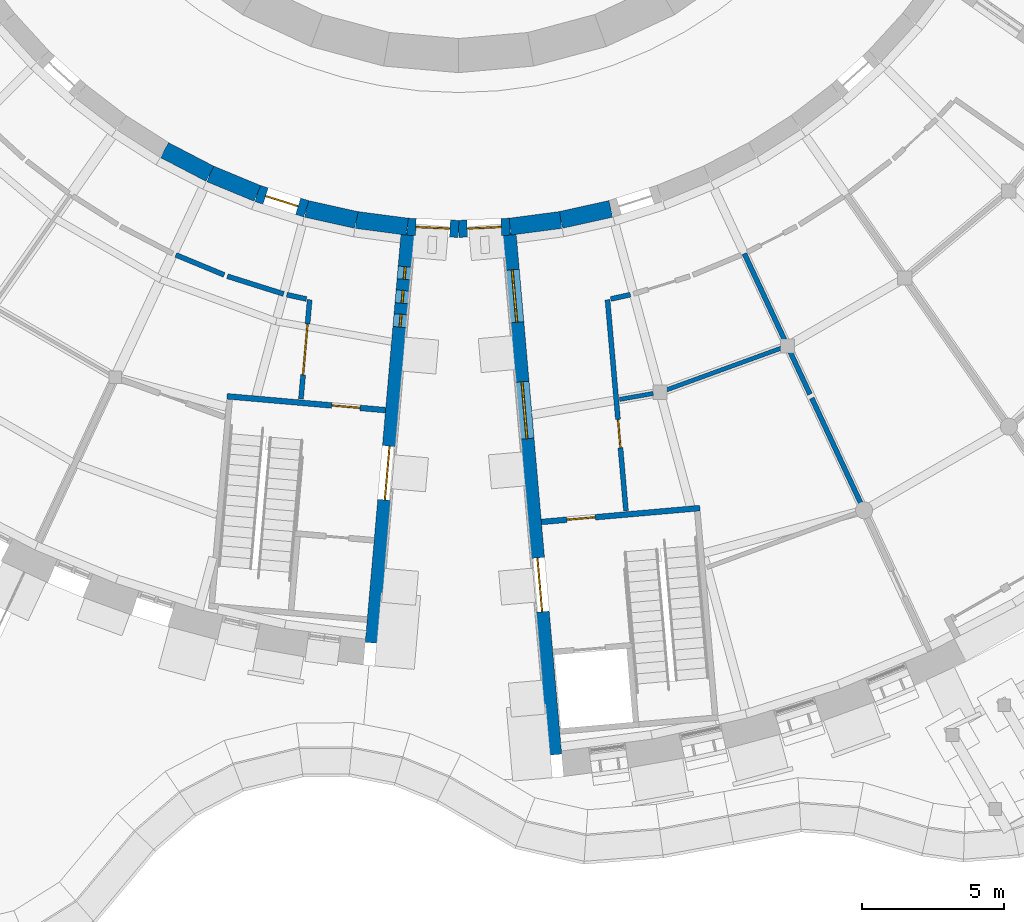
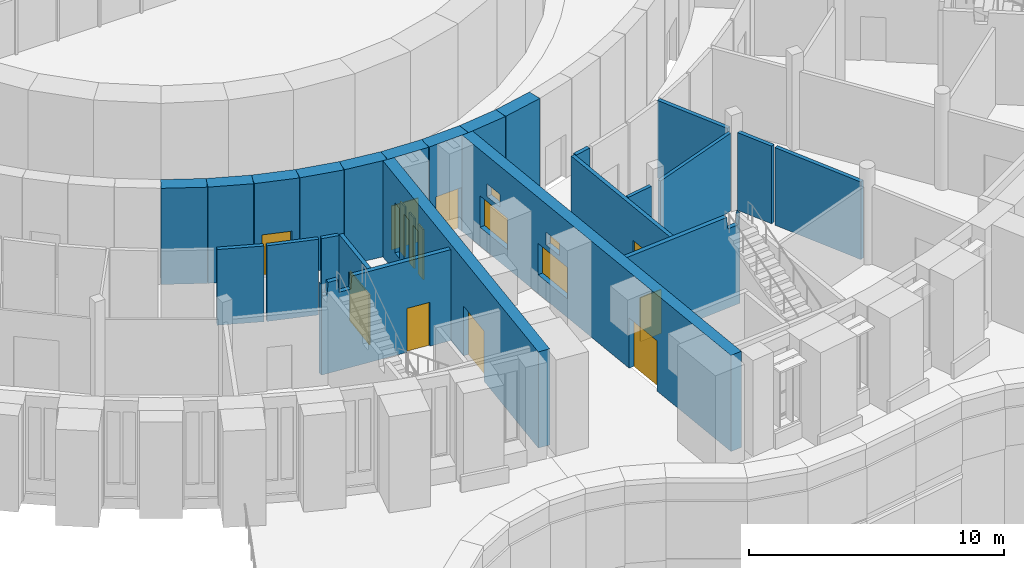
# One storey, part 48 of 85: 24 walls, 9 doors, 7 windows, 16 openings.
"""IFC4 building model written with IfcOpenShell, lengths in metres."""

from ifc_helpers import new_model, si_unit, direction, frame, frame_2d, origin, place, context, subcontext, project, spatial, polyline, rectangle, outline, extrude, material, layer, layer_set, type_object, element, fill, save


model = new_model("IFC4")

# Units and contexts
model_context = context("Model", 3, precision=1e-05, world=origin(), true_north=direction((0.0, 1.0)))
body_context = subcontext(model_context, "Body", "Model", "MODEL_VIEW")
ifc_project = project(units=[si_unit("LENGTHUNIT", "METRE"), si_unit("AREAUNIT", "SQUARE_METRE"), si_unit("VOLUMEUNIT", "CUBIC_METRE"), si_unit("PLANEANGLEUNIT", "RADIAN"), si_unit("MASSUNIT", "GRAM", prefix="KILO")], contexts=[model_context])

# Site, building, storey
site_placement = place(None, origin())
site = spatial("IfcSite", under=ifc_project, at=site_placement, CompositionType="ELEMENT")
building_placement = place(site_placement, origin())
building = spatial("IfcBuilding", under=site, at=building_placement, Name="Volute Hill Aquarium", CompositionType="ELEMENT")
storey_placement = place(building_placement, origin())
storey = spatial("IfcBuildingStorey", under=building, at=storey_placement, Name="L01", CompositionType="ELEMENT", Elevation=0.0)

# Walls
ifc_material_1 = material(Name="Gypsum board on steel studs", Category="steel")
ifc_layer_1 = layer(ifc_material_1, 0.14990234375)
ifc_layer_set_1 = layer_set([ifc_layer_1], Name="Acoustic partition 150")
wall_type_1 = type_object("IfcWallType", Name="Acoustic partition 150", PredefinedType="PARTITIONING", material=ifc_layer_set_1)
wall_1_placement = place(storey_placement, frame((11.347412109375, -24.899658203125, 0.0), z_axis=(0.0, 0.0, 1.0), x_axis=(-0.939698761805, -0.342003270543, 0.0)))
element("IfcWall", 1, at=wall_1_placement, inside=storey, type_object=wall_type_1, Name="pw/S3/L01/008", PredefinedType="PARTITIONING", context=body_context, shape_type="SweptSolid", body=[
    extrude(rectangle(XDim=4.2939453125, YDim=0.14990234375, at=frame_2d((2.14697265625, 0.0))), origin(), (0.0, 0.0, 1.0), 3.7099609375),
])
wall_2_placement = place(storey_placement, frame((6.85107421875, -26.49169921875, 0.0), z_axis=(0.0, 0.0, 1.0), x_axis=(-0.984775389783, -0.173831618753, 0.0)))
element("IfcWall", 2, at=wall_2_placement, inside=storey, type_object=wall_type_1, Name="pw/S3/L01/020", PredefinedType="PARTITIONING", context=body_context, shape_type="SweptSolid", body=[
    extrude(rectangle(XDim=1.20361328125, YDim=0.14990234375, at=frame_2d((0.601806640625, 0.0))), origin(), (0.0, 0.0, 1.0), 3.7099609375),
])

# Wall, opening, door
ifc_material_2 = material(Name="Concrete C30/37", Category="concrete")
ifc_layer_2 = layer(ifc_material_2, 0.199951171875)
ifc_layer_set_2 = layer_set([ifc_layer_2], Name="Core wall 200 REI 60")
wall_type_2 = type_object("IfcWallType", Name="Core wall 200 REI 60", PredefinedType="SHEAR", material=ifc_layer_set_2)
wall_3_placement = place(storey_placement, frame((-2.56982421875, -27.0791015625, 0.0), z_axis=(0.0, 0.0, 1.0), x_axis=(-0.996195468136, 0.08714694065, 0.0)))
wall_3 = element("IfcWall", 3, at=wall_3_placement, inside=storey, type_object=wall_type_2, Name="wc/S2-B/L01/in", PredefinedType="SHEAR", context=body_context, shape_type="SweptSolid", body=[
    extrude(outline(polyline([(0.0, 0.0), (5.60009765625, 0.0), (5.60009765625, 4.35009765625), (5.550048828125, 3.7900390625), (5.349853515625, 3.7900390625), (5.2998046875, 4.35009765625), (4.87841796875, 4.35009765625), (4.828369140625, 3.739990234375), (4.328369140625, 3.739990234375), (4.2783203125, 4.35009765625), (0.0, 4.35009765625), (0.0, 0.0)])), frame((0.0, 0.10009765625, 0.0), z_axis=(0.0, -1.0, 0.0), x_axis=(1.0, 0.0, 0.0)), (0.0, 0.0, 1.0), 0.199951171875),
])
opening_1_placement = place(wall_3_placement, frame((0.89990234375, 0.0, 0.0)))
opening_1 = element("IfcOpeningElement", 4, at=opening_1_placement, cuts=wall_3, Name="Opening D2.01.BS", PredefinedType="OPENING", context=body_context, shape_type="SweptSolid", body=[
    extrude(rectangle(XDim=1.0, YDim=2.10009765625, at=frame_2d((0.5, 1.050048828125))), frame((0.0, 0.10986328125, 0.0), z_axis=(0.0, -1.0, 0.0), x_axis=(1.0, 0.0, 0.0)), (0.0, 0.0, 1.0), 0.219970703125),
])
ifc_material_3 = material(Name="Timber, fire-rated", Category="wood")
door_type_1 = type_object("IfcDoorType", Name="Door 1000 x 2100 single EI1 30", OperationType="SINGLE_SWING_LEFT", PredefinedType="DOOR", material=ifc_material_3)
door_1_placement = place(opening_1_placement, origin())
door_1 = element("IfcDoor", 5, at=door_1_placement, inside=storey, type_object=door_type_1, Name="d/S2-B/L01/st", OperationType="SINGLE_SWING_RIGHT", OverallHeight=2.10009765625, OverallWidth=1.0, PredefinedType="DOOR", context=body_context, shape_type="SweptSolid", body=[
    extrude(rectangle(XDim=1.0, YDim=2.10009765625, at=frame_2d((0.5, 1.050048828125))), frame((0.0, 0.02490234375, 0.0), z_axis=(0.0, -1.0, 0.0), x_axis=(1.0, 0.0, 0.0)), (0.0, 0.0, 1.0), 0.050048828125),
])
fill(opening_1, door_1)

wall_4_placement = place(storey_placement, frame((2.9140625, -31.013916015625, 0.0), z_axis=(0.0, 0.0, 1.0), x_axis=(0.996195468136, 0.08714694065, 0.0)))
wall_4 = element("IfcWall", 6, at=wall_4_placement, inside=storey, type_object=wall_type_2, Name="wc/S3-A/L01/in", PredefinedType="SHEAR", context=body_context, shape_type="SweptSolid", body=[
    extrude(outline(polyline([(0.0, 0.0), (5.60009765625, 0.0), (5.60009765625, 4.35009765625), (5.574951171875, 4.35009765625), (5.52490234375, 3.780029296875), (5.02490234375, 3.780029296875), (4.97509765625, 4.35009765625), (0.0, 4.35009765625), (0.0, 0.0)])), frame((0.0, 0.10009765625, 0.0), z_axis=(0.0, -1.0, 0.0), x_axis=(1.0, 0.0, 0.0)), (0.0, 0.0, 1.0), 0.199951171875),
])
opening_2_placement = place(wall_4_placement, frame((0.89990234375, 0.0, 0.0)))
opening_2 = element("IfcOpeningElement", 7, at=opening_2_placement, cuts=wall_4, Name="Opening D3.01.AS", PredefinedType="OPENING", context=body_context, shape_type="SweptSolid", body=[
    extrude(rectangle(XDim=1.0, YDim=2.10009765625, at=frame_2d((0.5, 1.050048828125))), frame((0.0, 0.10986328125, 0.0), z_axis=(0.0, -1.0, 0.0), x_axis=(1.0, 0.0, 0.0)), (0.0, 0.0, 1.0), 0.219970703125),
])
door_2_placement = place(opening_2_placement, origin())
door_2 = element("IfcDoor", 8, at=door_2_placement, inside=storey, type_object=door_type_1, Name="d/S3-A/L01/st", OperationType="SINGLE_SWING_RIGHT", OverallHeight=2.10009765625, OverallWidth=1.0, PredefinedType="DOOR", context=body_context, shape_type="SweptSolid", body=[
    extrude(rectangle(XDim=1.0, YDim=2.10009765625, at=frame_2d((0.5, 1.050048828125))), frame((0.0, 0.02490234375, 0.0), z_axis=(0.0, -1.0, 0.0), x_axis=(1.0, 0.0, 0.0)), (0.0, 0.0, 1.0), 0.050048828125),
])
fill(opening_2, door_2)

ifc_material_4 = material(Name="Gypsum board on steel studs", Category="steel")
ifc_layer_3 = layer(ifc_material_4, 0.175048828125)
ifc_layer_set_3 = layer_set([ifc_layer_3], Name="Corridor partition 175 EI 60")
wall_type_3 = type_object("IfcWallType", Name="Corridor partition 175 EI 60", PredefinedType="PARTITIONING", material=ifc_layer_set_3)
wall_5_placement = place(storey_placement, frame((-5.547119140625, -26.68798828125, 0.0), z_axis=(0.0, 0.0, 1.0), x_axis=(0.087185076517, 0.996192131284, 0.0)))
wall_5 = element("IfcWall", 9, at=wall_5_placement, inside=storey, type_object=wall_type_3, Name="pw/S2/L01/007", PredefinedType="PARTITIONING", context=body_context, shape_type="SweptSolid", body=[
    extrude(rectangle(XDim=3.5087890625, YDim=0.175048828125, at=frame_2d((1.75439453125, 0.0))), origin(), (0.0, 0.0, 1.0), 3.6201171875),
])
opening_3_placement = place(wall_5_placement, frame((0.8544921875, 0.0, 0.0)))
opening_3 = element("IfcOpeningElement", 10, at=opening_3_placement, cuts=wall_5, Name="Opening D2.01.02", PredefinedType="OPENING", context=body_context, shape_type="SweptSolid", body=[
    extrude(rectangle(XDim=1.800048828125, YDim=2.39990234375, at=frame_2d((0.89990234375, 1.199951171875))), frame((0.0, 0.097412109375, 0.0), z_axis=(0.0, -1.0, 0.0), x_axis=(1.0, 0.0, 0.0)), (0.0, 0.0, 1.0), 0.195068359375),
])
ifc_material_5 = material(Name="Timber, fire-rated", Category="wood")
door_type_2 = type_object("IfcDoorType", Name="Door 1800 x 2400 gallery double EI1 30", OperationType="DOUBLE_DOOR_SINGLE_SWING", PredefinedType="DOOR", material=ifc_material_5)
door_3_placement = place(opening_3_placement, origin())
door_3 = element("IfcDoor", 11, at=door_3_placement, inside=storey, type_object=door_type_2, Name="d/S2/L01/02", OperationType="SINGLE_SWING_LEFT", OverallHeight=2.39990234375, OverallWidth=1.800048828125, PredefinedType="DOOR", context=body_context, shape_type="SweptSolid", body=[
    extrude(rectangle(XDim=1.800048828125, YDim=2.39990234375, at=frame_2d((0.89990234375, 1.199951171875))), frame((0.0, 0.02490234375, 0.0), z_axis=(0.0, -1.0, 0.0), x_axis=(1.0, 0.0, 0.0)), (0.0, 0.0, 1.0), 0.050048828125),
])
fill(opening_3, door_3)

# Walls
wall_6_placement = place(storey_placement, frame((-6.159912109375, -22.989013671875, 0.0), z_axis=(0.0, 0.0, 1.0), x_axis=(-0.953730050022, 0.300664250759, 0.0)))
element("IfcWall", 12, at=wall_6_placement, inside=storey, type_object=wall_type_3, Name="pw/S2/L01/010", PredefinedType="PARTITIONING", context=body_context, shape_type="SweptSolid", body=[
    extrude(rectangle(XDim=2.076416015625, YDim=0.175048828125, at=frame_2d((1.0380859375, 0.0))), origin(), (0.0, 0.0, 1.0), 3.6201171875),
])
wall_7_placement = place(storey_placement, frame((-8.24853515625, -22.319580078125, 0.0), z_axis=(0.0, 0.0, 1.0), x_axis=(-0.923890787601, 0.382656259044, 0.0)))
element("IfcWall", 13, at=wall_7_placement, inside=storey, type_object=wall_type_3, Name="pw/S2/L01/012", PredefinedType="PARTITIONING", context=body_context, shape_type="SweptSolid", body=[
    extrude(rectangle(XDim=1.84130859375, YDim=0.175048828125, at=frame_2d((0.920654296875, 0.0))), origin(), (0.0, 0.0, 1.0), 3.6201171875),
])
wall_8_placement = place(storey_placement, frame((-5.35595703125, -23.167236328125, 0.0), z_axis=(0.0, 0.0, 1.0), x_axis=(-0.976284608058, 0.216491025379, 0.0)))
element("IfcWall", 14, at=wall_8_placement, inside=storey, type_object=wall_type_3, Name="pw/S2/L01/014", PredefinedType="PARTITIONING", context=body_context, shape_type="SweptSolid", body=[
    extrude(rectangle(XDim=0.7060546875, YDim=0.175048828125, at=frame_2d((0.35302734375, 0.0))), origin(), (0.0, 0.0, 1.0), 3.6201171875),
])

# Wall, opening, door
wall_9_placement = place(storey_placement, frame((5.2412109375, -23.192626953125, 0.0), z_axis=(0.0, 0.0, 1.0), x_axis=(0.087164920084, -0.996193895136, 0.0)))
wall_9 = element("IfcWall", 15, at=wall_9_placement, inside=storey, type_object=wall_type_3, Name="pw/S3/L01/002", PredefinedType="PARTITIONING", context=body_context, shape_type="SweptSolid", body=[
    extrude(rectangle(XDim=7.458740234375, YDim=0.175048828125, at=frame_2d((3.7294921875, 0.0))), origin(), (0.0, 0.0, 1.0), 3.7099609375),
])
opening_4_placement = place(wall_9_placement, frame((4.2294921875, 0.0, 0.0)))
opening_4 = element("IfcOpeningElement", 16, at=opening_4_placement, cuts=wall_9, Name="Opening D3.01.03", PredefinedType="OPENING", context=body_context, shape_type="SweptSolid", body=[
    extrude(rectangle(XDim=1.0, YDim=2.10009765625, at=frame_2d((0.5, 1.050048828125))), frame((0.0, 0.097412109375, 0.0), z_axis=(0.0, -1.0, 0.0), x_axis=(1.0, 0.0, 0.0)), (0.0, 0.0, 1.0), 0.195068359375),
])
door_4_placement = place(opening_4_placement, origin())
door_4 = element("IfcDoor", 17, at=door_4_placement, inside=storey, type_object=door_type_1, Name="d/S3/L01/03", OperationType="SINGLE_SWING_LEFT", OverallHeight=2.10009765625, OverallWidth=1.0, PredefinedType="DOOR", context=body_context, shape_type="SweptSolid", body=[
    extrude(rectangle(XDim=1.0, YDim=2.10009765625, at=frame_2d((0.5, 1.050048828125))), frame((0.0, 0.02490234375, 0.0), z_axis=(0.0, -1.0, 0.0), x_axis=(1.0, 0.0, 0.0)), (0.0, 0.0, 1.0), 0.050048828125),
])
fill(opening_4, door_4)

# Walls
wall_10_placement = place(storey_placement, frame((12.429931640625, -26.656005859375, 0.0), z_axis=(0.0, 0.0, 1.0), x_axis=(0.422628880051, -0.906302835561, 0.0)))
element("IfcWall", 18, at=wall_10_placement, inside=storey, type_object=wall_type_3, Name="pw/S3/L01/010", PredefinedType="PARTITIONING", context=body_context, shape_type="SweptSolid", body=[
    extrude(rectangle(XDim=4.115234375, YDim=0.175048828125, at=frame_2d((2.0576171875, 0.0))), origin(), (0.0, 0.0, 1.0), 3.7099609375),
])
wall_11_placement = place(storey_placement, frame((11.471435546875, -24.6005859375, 0.0), z_axis=(0.0, 0.0, 1.0), x_axis=(-0.422601651571, 0.906315532301, 0.0)))
element("IfcWall", 19, at=wall_11_placement, inside=storey, type_object=wall_type_3, Name="pw/S3/L01/011", PredefinedType="PARTITIONING", context=body_context, shape_type="SweptSolid", body=[
    extrude(rectangle(XDim=3.34375, YDim=0.175048828125, at=frame_2d((1.671875, 0.0))), origin(), (0.0, 0.0, 1.0), 3.7099609375),
])
wall_12_placement = place(storey_placement, frame((11.674072265625, -25.034912109375, 0.0), z_axis=(0.0, 0.0, 1.0), x_axis=(0.422616329409, -0.906308688095, 0.0)))
element("IfcWall", 20, at=wall_12_placement, inside=storey, type_object=wall_type_3, Name="pw/S3/L01/019", PredefinedType="PARTITIONING", context=body_context, shape_type="SweptSolid", body=[
    extrude(rectangle(XDim=1.638916015625, YDim=0.175048828125, at=frame_2d((0.8193359375, 0.0))), origin(), (0.0, 0.0, 1.0), 3.7099609375),
])
wall_13_placement = place(storey_placement, frame((6.045166015625, -23.014404296875, 0.0), z_axis=(0.0, 0.0, 1.0), x_axis=(-0.976284608058, -0.216491025379, 0.0)))
element("IfcWall", 21, at=wall_13_placement, inside=storey, type_object=wall_type_3, Name="pw/S3/L01/022", PredefinedType="PARTITIONING", context=body_context, shape_type="SweptSolid", body=[
    extrude(rectangle(XDim=0.7060546875, YDim=0.175048828125, at=frame_2d((0.35302734375, 0.0))), origin(), (0.0, 0.0, 1.0), 3.7099609375),
])
ifc_material_6 = material(Name="Concrete C35/45", Category="concrete")
ifc_layer_4 = layer(ifc_material_6, 0.60009765625)
ifc_layer_set_4 = layer_set([ifc_layer_4], Name="Drum wall C35/45 600")
wall_type_4 = type_object("IfcWallType", Name="Drum wall C35/45 600", PredefinedType="SHEAR", material=ifc_layer_set_4)
for number, where, z_axis, x_axis, name in (
    (22, (-10.35009765625, -17.9267578125, 0.0), (0.0, 0.0, 1.0), (0.887035219654, -0.461701764231, 0.0), "sw/DR/L01/48"),
    (23, (-8.748291015625, -18.760498046875, 0.0), (0.0, 0.0, 1.0), (0.923866889322, -0.382713954298, 0.0), "sw/DR/L01/49"),
):
    element("IfcWall", number, at=place(storey_placement, frame(where, z_axis=z_axis, x_axis=x_axis)), inside=storey, type_object=wall_type_4, Name=name, PredefinedType="SHEAR", context=body_context, shape_type="SweptSolid", body=[
        extrude(rectangle(XDim=1.805908203125, YDim=0.60009765625, at=frame_2d((0.90283203125, 0.0))), origin(), (0.0, 0.0, 1.0), 4.60009765625),
    ])

# Wall, opening, door
wall_14_placement = place(storey_placement, frame((-7.079833984375, -19.45166015625, 0.0), z_axis=(0.0, 0.0, 1.0), x_axis=(0.953721512733, -0.300691330354, 0.0)))
wall_14 = element("IfcWall", 24, at=wall_14_placement, inside=storey, type_object=wall_type_4, Name="sw/DR/L01/50", PredefinedType="SHEAR", context=body_context, shape_type="SweptSolid", body=[
    extrude(rectangle(XDim=1.8056640625, YDim=0.60009765625, at=frame_2d((0.90283203125, 0.0))), origin(), (0.0, 0.0, 1.0), 4.60009765625),
])
opening_5_placement = place(wall_14_placement, frame((0.302978515625, 0.0, 0.0)))
opening_5 = element("IfcOpeningElement", 25, at=opening_5_placement, cuts=wall_14, Name="Opening D2.01.R2", PredefinedType="OPENING", context=body_context, shape_type="SweptSolid", body=[
    extrude(rectangle(XDim=1.199951171875, YDim=2.10009765625, at=frame_2d((0.60009765625, 1.050048828125))), frame((0.0, 0.31005859375, 0.0), z_axis=(0.0, -1.0, 0.0), x_axis=(1.0, 0.0, 0.0)), (0.0, 0.0, 1.0), 0.6201171875),
])
ifc_material_7 = material(Name="Timber", Category="wood")
door_type_3 = type_object("IfcDoorType", Name="Door 1200 x 2100 drum double", OperationType="DOUBLE_DOOR_SINGLE_SWING", PredefinedType="DOOR", material=ifc_material_7)
door_5_placement = place(opening_5_placement, origin())
door_5 = element("IfcDoor", 26, at=door_5_placement, inside=storey, type_object=door_type_3, Name="d/S2/L01/dr2", OperationType="SINGLE_SWING_LEFT", OverallHeight=2.10009765625, OverallWidth=1.199951171875, PredefinedType="DOOR", context=body_context, shape_type="SweptSolid", body=[
    extrude(rectangle(XDim=1.199951171875, YDim=2.10009765625, at=frame_2d((0.60009765625, 1.050048828125))), frame((0.0, 0.02490234375, 0.0), z_axis=(0.0, -1.0, 0.0), x_axis=(1.0, 0.0, 0.0)), (0.0, 0.0, 1.0), 0.050048828125),
])
fill(opening_5, door_5)

# Walls
wall_15_placement = place(storey_placement, frame((-5.357666015625, -19.99462890625, 0.0), z_axis=(0.0, 0.0, 1.0), x_axis=(0.976298259567, -0.216429453554, 0.0)))
element("IfcWall", 27, at=wall_15_placement, inside=storey, type_object=wall_type_4, Name="sw/DR/L01/51", PredefinedType="SHEAR", context=body_context, shape_type="SweptSolid", body=[
    extrude(rectangle(XDim=1.805908203125, YDim=0.60009765625, at=frame_2d((0.90283203125, 0.0))), origin(), (0.0, 0.0, 1.0), 4.60009765625),
])
wall_16_placement = place(storey_placement, frame((-3.594482421875, -20.385498046875, 0.0), z_axis=(0.0, 0.0, 1.0), x_axis=(0.991451994433, -0.130471999813, 0.0)))
element("IfcWall", 28, at=wall_16_placement, inside=storey, type_object=wall_type_4, Name="sw/DR/L01/52", PredefinedType="SHEAR", context=body_context, shape_type="SweptSolid", body=[
    extrude(rectangle(XDim=1.8056640625, YDim=0.60009765625, at=frame_2d((0.90283203125, 0.0))), origin(), (0.0, 0.0, 1.0), 4.60009765625),
])

# Wall, opening, door
wall_17_placement = place(storey_placement, frame((-1.80419921875, -20.62109375, 0.0), z_axis=(0.0, 0.0, 1.0), x_axis=(0.999046184291, -0.043666024022, 0.0)))
wall_17 = element("IfcWall", 29, at=wall_17_placement, inside=storey, type_object=wall_type_4, Name="sw/DR/L01/53", PredefinedType="SHEAR", context=body_context, shape_type="SweptSolid", body=[
    extrude(rectangle(XDim=1.805908203125, YDim=0.60009765625, at=frame_2d((0.90283203125, 0.0))), origin(), (0.0, 0.0, 1.0), 4.60009765625),
])
opening_6_placement = place(wall_17_placement, frame((0.302978515625, 0.0, 0.0)))
opening_6 = element("IfcOpeningElement", 30, at=opening_6_placement, cuts=wall_17, Name="Opening DX.SC3.1", PredefinedType="OPENING", context=body_context, shape_type="SweptSolid", body=[
    extrude(rectangle(XDim=1.199951171875, YDim=2.10009765625, at=frame_2d((0.60009765625, 1.050048828125))), frame((0.0, 0.31005859375, 0.0), z_axis=(0.0, -1.0, 0.0), x_axis=(1.0, 0.0, 0.0)), (0.0, 0.0, 1.0), 0.6201171875),
])
ifc_material_8 = material(Name="Timber, fire-rated", Category="wood")
door_type_4 = type_object("IfcDoorType", Name="Door 1200 x 2100 drum double EI1 30", OperationType="DOUBLE_DOOR_SINGLE_SWING", PredefinedType="DOOR", material=ifc_material_8)
door_6_placement = place(opening_6_placement, origin())
door_6 = element("IfcDoor", 31, at=door_6_placement, inside=storey, type_object=door_type_4, Name="d/SC3/L01/ex1", OperationType="SINGLE_SWING_LEFT", OverallHeight=2.10009765625, OverallWidth=1.199951171875, PredefinedType="DOOR", context=body_context, shape_type="SweptSolid", body=[
    extrude(rectangle(XDim=1.199951171875, YDim=2.10009765625, at=frame_2d((0.60009765625, 1.050048828125))), frame((0.0, 0.02490234375, 0.0), z_axis=(0.0, -1.0, 0.0), x_axis=(1.0, 0.0, 0.0)), (0.0, 0.0, 1.0), 0.050048828125),
])
fill(opening_6, door_6)

wall_18_placement = place(storey_placement, frame((0.0, -20.699951171875, 0.0), z_axis=(0.0, 0.0, 1.0), x_axis=(0.999046184291, 0.043666024022, 0.0)))
wall_18 = element("IfcWall", 32, at=wall_18_placement, inside=storey, type_object=wall_type_4, Name="sw/DR/L01/54", PredefinedType="SHEAR", context=body_context, shape_type="SweptSolid", body=[
    extrude(rectangle(XDim=1.805908203125, YDim=0.60009765625, at=frame_2d((0.90283203125, 0.0))), origin(), (0.0, 0.0, 1.0), 4.60009765625),
])
opening_7_placement = place(wall_18_placement, frame((0.302978515625, 0.0, 0.0)))
opening_7 = element("IfcOpeningElement", 33, at=opening_7_placement, cuts=wall_18, Name="Opening DX.SC3.2", PredefinedType="OPENING", context=body_context, shape_type="SweptSolid", body=[
    extrude(rectangle(XDim=1.199951171875, YDim=2.10009765625, at=frame_2d((0.60009765625, 1.050048828125))), frame((0.0, 0.31005859375, 0.0), z_axis=(0.0, -1.0, 0.0), x_axis=(1.0, 0.0, 0.0)), (0.0, 0.0, 1.0), 0.6201171875),
])
door_7_placement = place(opening_7_placement, origin())
door_7 = element("IfcDoor", 34, at=door_7_placement, inside=storey, type_object=door_type_4, Name="d/SC3/L01/ex2", OperationType="SINGLE_SWING_LEFT", OverallHeight=2.10009765625, OverallWidth=1.199951171875, PredefinedType="DOOR", context=body_context, shape_type="SweptSolid", body=[
    extrude(rectangle(XDim=1.199951171875, YDim=2.10009765625, at=frame_2d((0.60009765625, 1.050048828125))), frame((0.0, 0.02490234375, 0.0), z_axis=(0.0, -1.0, 0.0), x_axis=(1.0, 0.0, 0.0)), (0.0, 0.0, 1.0), 0.050048828125),
])
fill(opening_7, door_7)

# Walls
wall_19_placement = place(storey_placement, frame((1.80419921875, -20.62109375, 0.0), z_axis=(0.0, 0.0, 1.0), x_axis=(0.991451994433, 0.130471999813, 0.0)))
element("IfcWall", 35, at=wall_19_placement, inside=storey, type_object=wall_type_4, Name="sw/DR/L01/55", PredefinedType="SHEAR", context=body_context, shape_type="SweptSolid", body=[
    extrude(rectangle(XDim=1.8056640625, YDim=0.60009765625, at=frame_2d((0.90283203125, 0.0))), origin(), (0.0, 0.0, 1.0), 4.60009765625),
])
wall_20_placement = place(storey_placement, frame((3.594482421875, -20.385498046875, 0.0), z_axis=(0.0, 0.0, 1.0), x_axis=(0.976298259567, 0.216429453554, 0.0)))
element("IfcWall", 36, at=wall_20_placement, inside=storey, type_object=wall_type_4, Name="sw/DR/L01/56", PredefinedType="SHEAR", context=body_context, shape_type="SweptSolid", body=[
    extrude(rectangle(XDim=1.805908203125, YDim=0.60009765625, at=frame_2d((0.90283203125, 0.0))), origin(), (0.0, 0.0, 1.0), 4.60009765625),
])

# Wall, openings, door, windows
ifc_material_9 = material(Name="Concrete C35/45", Category="concrete")
ifc_layer_5 = layer(ifc_material_9, 0.5)
ifc_layer_set_5 = layer_set([ifc_layer_5], Name="End wall 500 C35/45")
wall_type_5 = type_object("IfcWallType", Name="End wall 500 C35/45", PredefinedType="SHEAR", material=ifc_layer_set_5)
wall_21_placement = place(storey_placement, frame((-1.771728515625, -20.82470703125, 0.0), z_axis=(0.0, 0.0, 1.0), x_axis=(-0.087148361414, -0.996195343847, 0.0)))
wall_21 = element("IfcWall", 37, at=wall_21_placement, inside=storey, type_object=wall_type_5, Name="sw/S2/L01/endB", PredefinedType="SHEAR", context=body_context, shape_type="SweptSolid", body=[
    extrude(rectangle(XDim=14.500244140625, YDim=0.5, at=frame_2d((7.25, 0.0))), origin(), (0.0, 0.0, 1.0), 4.60009765625),
])
opening_8_placement = place(wall_21_placement, frame((1.20703125, 0.0, 0.89990234375)))
opening_8 = element("IfcOpeningElement", 38, at=opening_8_placement, cuts=wall_21, Name="Opening W8", PredefinedType="OPENING", context=body_context, shape_type="SweptSolid", body=[
    extrude(rectangle(XDim=0.449951171875, YDim=2.39990234375, at=frame_2d((0.22509765625, 1.199951171875))), frame((0.0, 0.260009765625, 0.0), z_axis=(0.0, -1.0, 0.0), x_axis=(1.0, 0.0, 0.0)), (0.0, 0.0, 1.0), 0.52001953125),
])
opening_9_placement = place(wall_21_placement, frame((2.050048828125, 0.0, 0.89990234375)))
opening_9 = element("IfcOpeningElement", 39, at=opening_9_placement, cuts=wall_21, Name="Opening W8", PredefinedType="OPENING", context=body_context, shape_type="SweptSolid", body=[
    extrude(rectangle(XDim=0.449951171875, YDim=2.39990234375, at=frame_2d((0.22509765625, 1.199951171875))), frame((0.0, 0.260009765625, 0.0), z_axis=(0.0, -1.0, 0.0), x_axis=(1.0, 0.0, 0.0)), (0.0, 0.0, 1.0), 0.52001953125),
])
opening_10_placement = place(wall_21_placement, frame((2.89306640625, 0.0, 0.89990234375)))
opening_10 = element("IfcOpeningElement", 40, at=opening_10_placement, cuts=wall_21, Name="Opening W8", PredefinedType="OPENING", context=body_context, shape_type="SweptSolid", body=[
    extrude(rectangle(XDim=0.449951171875, YDim=2.39990234375, at=frame_2d((0.22509765625, 1.199951171875))), frame((0.0, 0.260009765625, 0.0), z_axis=(0.0, -1.0, 0.0), x_axis=(1.0, 0.0, 0.0)), (0.0, 0.0, 1.0), 0.52001953125),
])
opening_11_placement = place(wall_21_placement, frame((7.550048828125, 0.0, 0.0)))
opening_11 = element("IfcOpeningElement", 41, at=opening_11_placement, cuts=wall_21, Name="Opening D2.01.BX", PredefinedType="OPENING", context=body_context, shape_type="SweptSolid", body=[
    extrude(rectangle(XDim=1.89990234375, YDim=2.39990234375, at=frame_2d((0.949951171875, 1.199951171875))), frame((0.0, 0.260009765625, 0.0), z_axis=(0.0, -1.0, 0.0), x_axis=(1.0, 0.0, 0.0)), (0.0, 0.0, 1.0), 0.52001953125),
])
ifc_material_10 = material(Name="Steel, fire-rated", Category="steel")
door_type_5 = type_object("IfcDoorType", Name="Door 1900 x 2400 stair exit double EI1 30", OperationType="DOUBLE_DOOR_SINGLE_SWING", PredefinedType="DOOR", material=ifc_material_10)
door_8_placement = place(opening_11_placement, origin())
door_8 = element("IfcDoor", 42, at=door_8_placement, inside=storey, type_object=door_type_5, Name="d/S2-B/L01/ex", OperationType="SINGLE_SWING_LEFT", OverallHeight=2.39990234375, OverallWidth=1.89990234375, PredefinedType="DOOR", context=body_context, shape_type="SweptSolid", body=[
    extrude(rectangle(XDim=1.89990234375, YDim=2.39990234375, at=frame_2d((0.949951171875, 1.199951171875))), frame((0.0, 0.02490234375, 0.0), z_axis=(0.0, -1.0, 0.0), x_axis=(1.0, 0.0, 0.0)), (0.0, 0.0, 1.0), 0.050048828125),
])
fill(opening_11, door_8)
ifc_material_11 = material(Name="Aluminium and glass", Category="aluminium")
window_type_1 = type_object("IfcWindowType", Name="End wall window 450x2400", PartitioningType="SINGLE_PANEL", PredefinedType="WINDOW", material=ifc_material_11)
window_1_placement = place(opening_8_placement, origin())
window_1 = element("IfcWindow", 43, at=window_1_placement, inside=storey, type_object=window_type_1, Name="End wall window S2B L01 1.1", OverallHeight=2.39990234375, OverallWidth=0.449951171875, PartitioningType="SINGLE_PANEL", PredefinedType="WINDOW", context=body_context, shape_type="SweptSolid", body=[
    extrude(rectangle(XDim=0.449951171875, YDim=2.39990234375, at=frame_2d((0.22509765625, 1.199951171875))), frame((0.0, 0.030029296875, 0.0), z_axis=(0.0, -1.0, 0.0), x_axis=(1.0, 0.0, 0.0)), (0.0, 0.0, 1.0), 0.06005859375),
])
fill(opening_8, window_1)
window_2_placement = place(opening_9_placement, origin())
window_2 = element("IfcWindow", 44, at=window_2_placement, inside=storey, type_object=window_type_1, Name="End wall window S2B L01 1.2", OverallHeight=2.39990234375, OverallWidth=0.449951171875, PartitioningType="SINGLE_PANEL", PredefinedType="WINDOW", context=body_context, shape_type="SweptSolid", body=[
    extrude(rectangle(XDim=0.449951171875, YDim=2.39990234375, at=frame_2d((0.22509765625, 1.199951171875))), frame((0.0, 0.030029296875, 0.0), z_axis=(0.0, -1.0, 0.0), x_axis=(1.0, 0.0, 0.0)), (0.0, 0.0, 1.0), 0.06005859375),
])
fill(opening_9, window_2)
window_3_placement = place(opening_10_placement, origin())
window_3 = element("IfcWindow", 45, at=window_3_placement, inside=storey, type_object=window_type_1, Name="End wall window S2B L01 1.3", OverallHeight=2.39990234375, OverallWidth=0.449951171875, PartitioningType="SINGLE_PANEL", PredefinedType="WINDOW", context=body_context, shape_type="SweptSolid", body=[
    extrude(rectangle(XDim=0.449951171875, YDim=2.39990234375, at=frame_2d((0.22509765625, 1.199951171875))), frame((0.0, 0.030029296875, 0.0), z_axis=(0.0, -1.0, 0.0), x_axis=(1.0, 0.0, 0.0)), (0.0, 0.0, 1.0), 0.06005859375),
])
fill(opening_10, window_3)

wall_22_placement = place(storey_placement, frame((1.771728515625, -20.82470703125, 0.0), z_axis=(0.0, 0.0, 1.0), x_axis=(0.087162354101, -0.996194119651, 0.0)))
wall_22 = element("IfcWall", 46, at=wall_22_placement, inside=storey, type_object=wall_type_5, Name="sw/S3/L01/endA", PredefinedType="SHEAR", context=body_context, shape_type="SweptSolid", body=[
    extrude(rectangle(XDim=18.4501953125, YDim=0.5, at=frame_2d((9.22509765625, 0.0))), origin(), (0.0, 0.0, 1.0), 4.60009765625),
])
opening_12_placement = place(wall_22_placement, frame((1.320068359375, 0.0, 0.89990234375)))
opening_12 = element("IfcOpeningElement", 47, at=opening_12_placement, cuts=wall_22, Name="Opening W9", PredefinedType="OPENING", context=body_context, shape_type="SweptSolid", body=[
    extrude(rectangle(XDim=1.857421875, YDim=1.5, at=frame_2d((0.9287109375, 0.75))), frame((0.0, 0.260009765625, 0.0), z_axis=(0.0, -1.0, 0.0), x_axis=(1.0, 0.0, 0.0)), (0.0, 0.0, 1.0), 0.52001953125),
])
opening_13_placement = place(wall_22_placement, frame((1.798828125, 0.0, 2.64990234375)))
opening_13 = element("IfcOpeningElement", 48, at=opening_13_placement, cuts=wall_22, Name="Opening W10", PredefinedType="OPENING", context=body_context, shape_type="SweptSolid", body=[
    extrude(rectangle(XDim=0.89990234375, YDim=0.60009765625, at=frame_2d((0.449951171875, 0.300048828125))), frame((0.0, 0.260009765625, 0.0), z_axis=(0.0, -1.0, 0.0), x_axis=(1.0, 0.0, 0.0)), (0.0, 0.0, 1.0), 0.52001953125),
])
opening_14_placement = place(wall_22_placement, frame((5.277587890625, 0.0, 0.89990234375)))
opening_14 = element("IfcOpeningElement", 49, at=opening_14_placement, cuts=wall_22, Name="Opening W11", PredefinedType="OPENING", context=body_context, shape_type="SweptSolid", body=[
    extrude(rectangle(XDim=2.007568359375, YDim=1.5, at=frame_2d((1.00390625, 0.75))), frame((0.0, 0.260009765625, 0.0), z_axis=(0.0, -1.0, 0.0), x_axis=(1.0, 0.0, 0.0)), (0.0, 0.0, 1.0), 0.52001953125),
])
opening_15_placement = place(wall_22_placement, frame((5.831298828125, 0.0, 2.64990234375)))
opening_15 = element("IfcOpeningElement", 50, at=opening_15_placement, cuts=wall_22, Name="Opening W10", PredefinedType="OPENING", context=body_context, shape_type="SweptSolid", body=[
    extrude(rectangle(XDim=0.89990234375, YDim=0.60009765625, at=frame_2d((0.449951171875, 0.300048828125))), frame((0.0, 0.260009765625, 0.0), z_axis=(0.0, -1.0, 0.0), x_axis=(1.0, 0.0, 0.0)), (0.0, 0.0, 1.0), 0.52001953125),
])
opening_16_placement = place(wall_22_placement, frame((11.5, 0.0, 0.0)))
opening_16 = element("IfcOpeningElement", 51, at=opening_16_placement, cuts=wall_22, Name="Opening D3.01.AX", PredefinedType="OPENING", context=body_context, shape_type="SweptSolid", body=[
    extrude(rectangle(XDim=1.89990234375, YDim=2.39990234375, at=frame_2d((0.949951171875, 1.199951171875))), frame((0.0, 0.260009765625, 0.0), z_axis=(0.0, -1.0, 0.0), x_axis=(1.0, 0.0, 0.0)), (0.0, 0.0, 1.0), 0.52001953125),
])
door_9_placement = place(opening_16_placement, origin())
door_9 = element("IfcDoor", 52, at=door_9_placement, inside=storey, type_object=door_type_5, Name="d/S3-A/L01/ex", OperationType="SINGLE_SWING_LEFT", OverallHeight=2.39990234375, OverallWidth=1.89990234375, PredefinedType="DOOR", context=body_context, shape_type="SweptSolid", body=[
    extrude(rectangle(XDim=1.89990234375, YDim=2.39990234375, at=frame_2d((0.949951171875, 1.199951171875))), frame((0.0, 0.02490234375, 0.0), z_axis=(0.0, -1.0, 0.0), x_axis=(1.0, 0.0, 0.0)), (0.0, 0.0, 1.0), 0.050048828125),
])
fill(opening_16, door_9)
ifc_material_12 = material(Name="Aluminium and glass", Category="aluminium")
window_type_2 = type_object("IfcWindowType", Name="End wall window 1857x1500", PartitioningType="SINGLE_PANEL", PredefinedType="WINDOW", material=ifc_material_12)
window_4_placement = place(opening_12_placement, origin())
window_4 = element("IfcWindow", 53, at=window_4_placement, inside=storey, type_object=window_type_2, Name="End wall window S3A L01 1.1", OverallHeight=1.5, OverallWidth=1.857421875, PartitioningType="SINGLE_PANEL", PredefinedType="WINDOW", context=body_context, shape_type="SweptSolid", body=[
    extrude(rectangle(XDim=1.857421875, YDim=1.5, at=frame_2d((0.9287109375, 0.75))), frame((0.0, 0.030029296875, 0.0), z_axis=(0.0, -1.0, 0.0), x_axis=(1.0, 0.0, 0.0)), (0.0, 0.0, 1.0), 0.06005859375),
])
fill(opening_12, window_4)
ifc_material_13 = material(Name="Aluminium and glass", Category="aluminium")
window_type_3 = type_object("IfcWindowType", Name="End wall window 2007x1500", PartitioningType="SINGLE_PANEL", PredefinedType="WINDOW", material=ifc_material_13)
window_5_placement = place(opening_14_placement, origin())
window_5 = element("IfcWindow", 54, at=window_5_placement, inside=storey, type_object=window_type_3, Name="End wall window S3A L01 2.1", OverallHeight=1.5, OverallWidth=2.007568359375, PartitioningType="SINGLE_PANEL", PredefinedType="WINDOW", context=body_context, shape_type="SweptSolid", body=[
    extrude(rectangle(XDim=2.007568359375, YDim=1.5, at=frame_2d((1.00390625, 0.75))), frame((0.0, 0.030029296875, 0.0), z_axis=(0.0, -1.0, 0.0), x_axis=(1.0, 0.0, 0.0)), (0.0, 0.0, 1.0), 0.06005859375),
])
fill(opening_14, window_5)
ifc_material_14 = material(Name="Aluminium and glass", Category="aluminium")
window_type_4 = type_object("IfcWindowType", Name="End wall window 900x600", PartitioningType="SINGLE_PANEL", PredefinedType="WINDOW", material=ifc_material_14)
window_6_placement = place(opening_13_placement, origin())
window_6 = element("IfcWindow", 55, at=window_6_placement, inside=storey, type_object=window_type_4, Name="End wall window S3A L01 1.2", OverallHeight=0.60009765625, OverallWidth=0.89990234375, PartitioningType="SINGLE_PANEL", PredefinedType="WINDOW", context=body_context, shape_type="SweptSolid", body=[
    extrude(rectangle(XDim=0.89990234375, YDim=0.60009765625, at=frame_2d((0.449951171875, 0.300048828125))), frame((0.0, 0.030029296875, 0.0), z_axis=(0.0, -1.0, 0.0), x_axis=(1.0, 0.0, 0.0)), (0.0, 0.0, 1.0), 0.06005859375),
])
fill(opening_13, window_6)
window_7_placement = place(opening_15_placement, origin())
window_7 = element("IfcWindow", 56, at=window_7_placement, inside=storey, type_object=window_type_4, Name="End wall window S3A L01 2.2", OverallHeight=0.60009765625, OverallWidth=0.89990234375, PartitioningType="SINGLE_PANEL", PredefinedType="WINDOW", context=body_context, shape_type="SweptSolid", body=[
    extrude(rectangle(XDim=0.89990234375, YDim=0.60009765625, at=frame_2d((0.449951171875, 0.300048828125))), frame((0.0, 0.030029296875, 0.0), z_axis=(0.0, -1.0, 0.0), x_axis=(1.0, 0.0, 0.0)), (0.0, 0.0, 1.0), 0.06005859375),
])
fill(opening_15, window_7)

save(model, "model.ifc")
